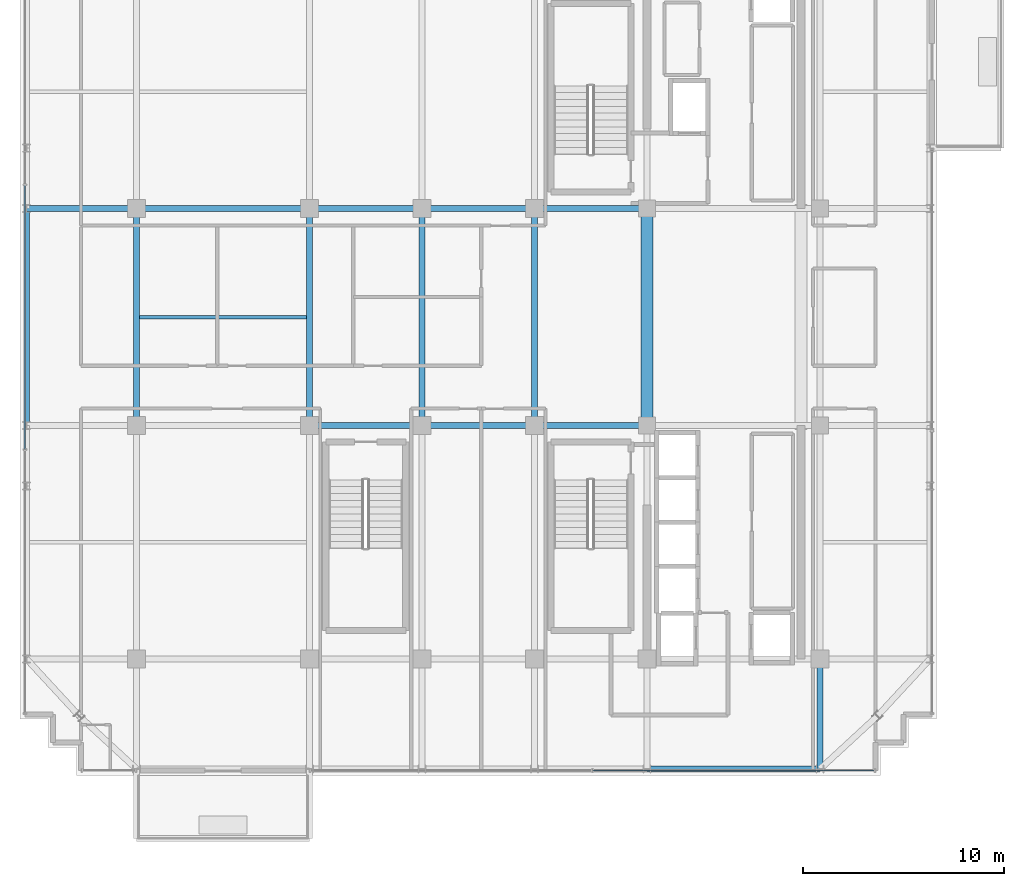
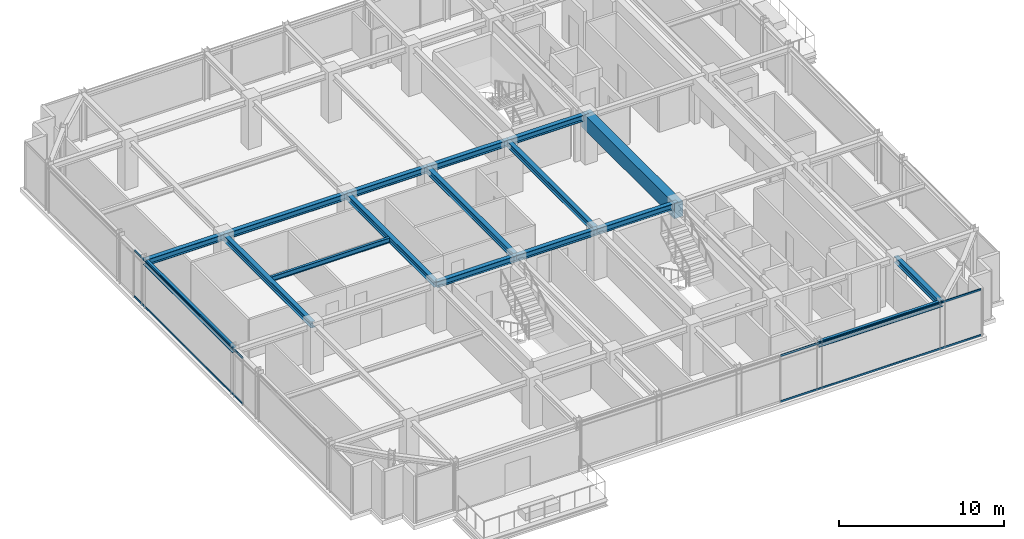
# One storey, part 10 of 32: 17 beams, 4 members, 2 elements without a shape of their own.
"""IFC4 building model written with IfcOpenShell, lengths in metres."""

from ifc_helpers import new_model, si_unit, direction, frame, origin, origin_2d, place, context, subcontext, project, spatial, rectangle, hollow_rectangle, i_section, extrude, source, transform, mapped, material, material_profile, profile_set, type_object, element, aggregate, save


model = new_model("IFC4")

# Units and contexts
model_context = context("Model", 3, precision=1e-05, world=origin(), true_north=direction((0.0, 1.0)))
body_context = subcontext(model_context, "Body", "Model", "MODEL_VIEW")
ifc_project = project(units=[si_unit("LENGTHUNIT", "METRE"), si_unit("AREAUNIT", "SQUARE_METRE"), si_unit("VOLUMEUNIT", "CUBIC_METRE"), si_unit("PLANEANGLEUNIT", "RADIAN"), si_unit("MASSUNIT", "GRAM", prefix="KILO")], contexts=[model_context])

# Site, building, storey
site_placement = place(None, origin())
site = spatial("IfcSite", under=ifc_project, at=site_placement, CompositionType="ELEMENT")
building_placement = place(site_placement, origin())
building = spatial("IfcBuilding", under=site, at=building_placement, Name="Nahalor Promenade Grand Hotel", CompositionType="ELEMENT")
storey_placement = place(building_placement, frame((0.0, 0.0, 330.949951171875)))
storey = spatial("IfcBuildingStorey", under=building, at=storey_placement, Name="L85", CompositionType="ELEMENT", Elevation=330.949951171875)

# Beams
ifc_material_1 = material(Name="Concrete B-60 (C50/60)", Category="concrete")
ifc_material_profile_1 = material_profile(ifc_material_1, rectangle(XDim=0.6, YDim=1.1, at=origin_2d()), Name="RC 600x1100")
ifc_profile_set_1 = profile_set([ifc_material_profile_1], Name="Concrete B-60 (C50/60)")
beam_type_1 = type_object("IfcBeamType", Name="Beam-Lintel-RC1100", PredefinedType="LINTEL", material=ifc_profile_set_1)
shared_shape_1 = source(origin(), body_context, "Body", "SweptSolid", [
    extrude(rectangle(XDim=0.6, YDim=1.1, at=origin_2d()), origin(), (0.0, 0.0, 1.0), 11.2001953125),
])
beam_1_placement = place(storey_placement, frame((8.39990234375, -5.60009765625, 2.949951171875), z_axis=(0.0, 1.0, 0.0), x_axis=(-1.0, 0.0, 0.0)))
element("IfcBeam", 1, at=beam_1_placement, inside=storey, type_object=beam_type_1, Name="BM-L85-LINT-W", PredefinedType="LINTEL", context=body_context, shape_type="MappedRepresentation", body=[
    mapped(shared_shape_1, transform((0.0, 0.0, 0.0), scale=1.0)),
])
ifc_material_2 = material(Name="Steel S355JR", Category="steel")
ifc_material_profile_2 = material_profile(ifc_material_2, i_section(OverallWidth=0.3, OverallDepth=0.45, WebThickness=0.014, FlangeThickness=0.026, at=origin_2d()), Name="HEB 450")
ifc_profile_set_2 = profile_set([ifc_material_profile_2], Name="Steel S355JR")
beam_type_2 = type_object("IfcBeamType", Name="Beam-Girder-HEB450", PredefinedType="BEAM", material=ifc_profile_set_2)
shared_shape_2 = source(origin(), body_context, "Body", "SweptSolid", [
    extrude(i_section(OverallWidth=0.3, OverallDepth=0.45, WebThickness=0.014, FlangeThickness=0.026, at=origin_2d()), origin(), (0.0, 0.0, 1.0), 8.60009765625),
])
beam_2_placement = place(storey_placement, frame((-17.0, 5.39990234375, 3.275146484375), z_axis=(1.0, 0.0, 0.0), x_axis=(0.0, 1.0, 0.0)))
element("IfcBeam", 2, at=beam_2_placement, inside=storey, type_object=beam_type_2, Name="BM-L85-GX-2-1", PredefinedType="BEAM", context=body_context, shape_type="MappedRepresentation", body=[
    mapped(shared_shape_2, transform((0.0, 0.0, 0.0), scale=1.0)),
])
shared_shape_3 = source(origin(), body_context, "Body", "SweptSolid", [
    extrude(i_section(OverallWidth=0.3, OverallDepth=0.45, WebThickness=0.014, FlangeThickness=0.026, at=origin_2d()), origin(), (0.0, 0.0, 1.0), 5.599853515625),
])
for number, where, z_axis, x_axis, name in (
    (3, (-8.39990234375, -5.39990234375, 3.275146484375), (1.0, 0.0, 0.0), (0.0, 1.0, 0.0), "BM-L85-GX-1-2"),
    (4, (2.800048828125, -5.39990234375, 3.275146484375), (1.0, 0.0, 0.0), (0.0, 1.0, 0.0), "BM-L85-GX-1-4"),
    (5, (-8.39990234375, 5.39990234375, 3.275146484375), (1.0, 0.0, 0.0), (0.0, 1.0, 0.0), "BM-L85-GX-2-2"),
    (6, (2.800048828125, 5.39990234375, 3.275146484375), (1.0, 0.0, 0.0), (0.0, 1.0, 0.0), "BM-L85-GX-2-4"),
):
    element("IfcBeam", number, at=place(storey_placement, frame(where, z_axis=z_axis, x_axis=x_axis)), inside=storey, type_object=beam_type_2, Name=name, PredefinedType="BEAM", context=body_context, shape_type="MappedRepresentation", body=[
        mapped(shared_shape_3, transform((0.0, 0.0, 0.0), scale=1.0)),
    ])
shared_shape_4 = source(origin(), body_context, "Body", "SweptSolid", [
    extrude(i_section(OverallWidth=0.3, OverallDepth=0.45, WebThickness=0.014, FlangeThickness=0.026, at=origin_2d()), origin(), (0.0, 0.0, 1.0), 5.60009765625),
])
for number, where, z_axis, x_axis, name in (
    (7, (-2.800048828125, -5.39990234375, 3.275146484375), (1.0, 0.0, 0.0), (0.0, 1.0, 0.0), "BM-L85-GX-1-3"),
    (8, (-2.800048828125, 5.39990234375, 3.275146484375), (1.0, 0.0, 0.0), (0.0, 1.0, 0.0), "BM-L85-GX-2-3"),
):
    element("IfcBeam", number, at=place(storey_placement, frame(where, z_axis=z_axis, x_axis=x_axis)), inside=storey, type_object=beam_type_2, Name=name, PredefinedType="BEAM", context=body_context, shape_type="MappedRepresentation", body=[
        mapped(shared_shape_4, transform((0.0, 0.0, 0.0), scale=1.0)),
    ])
shared_shape_5 = source(origin(), body_context, "Body", "SweptSolid", [
    extrude(i_section(OverallWidth=0.3, OverallDepth=0.45, WebThickness=0.014, FlangeThickness=0.026, at=origin_2d()), origin(), (0.0, 0.0, 1.0), 10.7998046875),
])
for number, where, z_axis, x_axis, name in (
    (9, (-17.0, -5.39990234375, 3.275146484375), (0.0, 1.0, 0.0), (-1.0, 0.0, 0.0), "BM-L85-GY-0-2"),
    (10, (-8.39990234375, -5.39990234375, 3.275146484375), (0.0, 1.0, 0.0), (-1.0, 0.0, 0.0), "BM-L85-GY-1-2"),
    (11, (-2.800048828125, -5.39990234375, 3.275146484375), (0.0, 1.0, 0.0), (-1.0, 0.0, 0.0), "BM-L85-GY-2-2"),
    (12, (2.800048828125, -5.39990234375, 3.275146484375), (0.0, 1.0, 0.0), (-1.0, 0.0, 0.0), "BM-L85-GY-3-2"),
):
    element("IfcBeam", number, at=place(storey_placement, frame(where, z_axis=z_axis, x_axis=x_axis)), inside=storey, type_object=beam_type_2, Name=name, PredefinedType="BEAM", context=body_context, shape_type="MappedRepresentation", body=[
        mapped(shared_shape_5, transform((0.0, 0.0, 0.0), scale=1.0)),
    ])
shared_shape_6 = source(origin(), body_context, "Body", "SweptSolid", [
    extrude(i_section(OverallWidth=0.3, OverallDepth=0.45, WebThickness=0.014, FlangeThickness=0.026, at=origin_2d()), origin(), (0.0, 0.0, 1.0), 5.47998046875),
])
for number, where, z_axis, x_axis, name in (
    (13, (-22.47998046875, 5.39990234375, 3.275146484375), (1.0, 0.0, 0.0), (0.0, 1.0, 0.0), "BM-L85-GX-2-0"),
    (14, (17.0, -22.47998046875, 3.275146484375), (0.0, 1.0, 0.0), (-1.0, 0.0, 0.0), "BM-L85-GY-5-0"),
):
    element("IfcBeam", number, at=place(storey_placement, frame(where, z_axis=z_axis, x_axis=x_axis)), inside=storey, type_object=beam_type_2, Name=name, PredefinedType="BEAM", context=body_context, shape_type="MappedRepresentation", body=[
        mapped(shared_shape_6, transform((0.0, 0.0, 0.0), scale=1.0)),
    ])
ifc_material_profile_3 = material_profile(ifc_material_2, i_section(OverallWidth=0.3, OverallDepth=0.36, WebThickness=0.0125, FlangeThickness=0.0225, at=origin_2d()), Name="HEB 360")
ifc_profile_set_3 = profile_set([ifc_material_profile_3], Name="Steel S355JR")
beam_type_3 = type_object("IfcBeamType", Name="Beam-Spandrel-HEB360", PredefinedType="SPANDREL", material=ifc_profile_set_3)
shared_shape_7 = source(origin(), body_context, "Body", "SweptSolid", [
    extrude(i_section(OverallWidth=0.3, OverallDepth=0.36, WebThickness=0.0125, FlangeThickness=0.0225, at=origin_2d()), origin(), (0.0, 0.0, 1.0), 8.60009765625),
])
beam_3_placement = place(storey_placement, frame((8.39990234375, -22.47998046875, 3.320068359375), z_axis=(1.0, 0.0, 0.0), x_axis=(0.0, 1.0, 0.0)))
element("IfcBeam", 15, at=beam_3_placement, inside=storey, type_object=beam_type_3, Name="BM-L85-SP-S-4", PredefinedType="SPANDREL", context=body_context, shape_type="MappedRepresentation", body=[
    mapped(shared_shape_7, transform((0.0, 0.0, 0.0), scale=1.0)),
])
shared_shape_8 = source(origin(), body_context, "Body", "SweptSolid", [
    extrude(i_section(OverallWidth=0.3, OverallDepth=0.36, WebThickness=0.0125, FlangeThickness=0.0225, at=origin_2d()), origin(), (0.0, 0.0, 1.0), 10.7998046875),
])
beam_4_placement = place(storey_placement, frame((-22.47998046875, -5.39990234375, 3.320068359375), z_axis=(0.0, 1.0, 0.0), x_axis=(-1.0, 0.0, 0.0)))
element("IfcBeam", 16, at=beam_4_placement, inside=storey, type_object=beam_type_3, Name="BM-L85-SP-W-2", PredefinedType="SPANDREL", context=body_context, shape_type="MappedRepresentation", body=[
    mapped(shared_shape_8, transform((0.0, 0.0, 0.0), scale=1.0)),
])
ifc_material_profile_4 = material_profile(ifc_material_2, i_section(OverallWidth=0.17, OverallDepth=0.36, WebThickness=0.008, FlangeThickness=0.0127, at=origin_2d()), Name="IPE 360")
ifc_profile_set_4 = profile_set([ifc_material_profile_4], Name="Steel S355JR")
beam_type_4 = type_object("IfcBeamType", Name="Beam-Joist-IPE360", PredefinedType="JOIST", material=ifc_profile_set_4)
shared_shape_9 = source(origin(), body_context, "Body", "SweptSolid", [
    extrude(i_section(OverallWidth=0.17, OverallDepth=0.36, WebThickness=0.008, FlangeThickness=0.0127, at=origin_2d()), origin(), (0.0, 0.0, 1.0), 8.300048828125),
])
beam_5_placement = place(storey_placement, frame((-16.85009765625, 0.0, 3.320068359375), z_axis=(1.0, 0.0, 0.0), x_axis=(0.0, 1.0, 0.0)))
element("IfcBeam", 17, at=beam_5_placement, inside=storey, type_object=beam_type_4, Name="BM-L85-JSC-0", PredefinedType="JOIST", context=body_context, shape_type="MappedRepresentation", body=[
    mapped(shared_shape_9, transform((0.0, 0.0, 0.0), scale=1.0)),
])

# Curtain wall, members
ifc_material_3 = material(Name="Anodised Bronze Aluminium EN AW-6063 T6", Category="aluminium")
curtain_wall_type = type_object("IfcCurtainWallType", Name="CW2 Typical Hotel Flush Bronze Unitised Curtain Wall", PredefinedType="USERDEFINED", material=ifc_material_3)
curtain_wall_1_placement = place(storey_placement, origin())
curtain_wall_1 = element("IfcCurtainWall", 18, at=curtain_wall_1_placement, inside=storey, type_object=curtain_wall_type, Name="L85 Curtain Wall CW-L85-S-3", ObjectType="UNITISED_CURTAIN_WALL", PredefinedType="USERDEFINED")
ifc_material_profile_5 = material_profile(ifc_material_3, hollow_rectangle(XDim=0.065, YDim=0.13, WallThickness=0.004, at=origin_2d()), Name="CWT 65x130x4")
ifc_profile_set_5 = profile_set([ifc_material_profile_5], Name="Anodised Bronze Aluminium EN AW-6063 T6")
member_type = type_object("IfcMemberType", Name="CWT2 Typical Bronze Transom 65x130", PredefinedType="USERDEFINED", material=ifc_profile_set_5)
shared_shape_10 = source(origin(), body_context, "Body", "SweptSolid", [
    extrude(hollow_rectangle(XDim=0.065, YDim=0.13, WallThickness=0.004, at=origin_2d()), origin(), (0.0, 0.0, 1.0), 13.982666015625),
])
member_1_placement = place(storey_placement, frame((5.71240234375, -22.56005859375, 0.06494140625), z_axis=(1.0, 0.0, 0.0), x_axis=(0.0, 1.0, 0.0)))
member_1 = element("IfcMember", 19, at=member_1_placement, type_object=member_type, Name="CW-L85-S-3 Transom 1-0", ObjectType="TRANSOM", PredefinedType="USERDEFINED", context=body_context, shape_type="MappedRepresentation", body=[
    mapped(shared_shape_10, transform((0.0, 0.0, 0.0), scale=1.0)),
])
member_2_placement = place(storey_placement, frame((5.71240234375, -22.56005859375, 3.43505859375), z_axis=(1.0, 0.0, 0.0), x_axis=(0.0, 1.0, 0.0)))
member_2 = element("IfcMember", 20, at=member_2_placement, type_object=member_type, Name="CW-L85-S-3 Transom 1-1", ObjectType="TRANSOM", PredefinedType="USERDEFINED", context=body_context, shape_type="MappedRepresentation", body=[
    mapped(shared_shape_10, transform((0.0, 0.0, 0.0), scale=1.0)),
])
aggregate(curtain_wall_1, [member_1, member_2])

curtain_wall_2_placement = place(storey_placement, origin())
curtain_wall_2 = element("IfcCurtainWall", 21, at=curtain_wall_2_placement, inside=storey, type_object=curtain_wall_type, Name="L85 Curtain Wall CW-L85-W-1", ObjectType="UNITISED_CURTAIN_WALL", PredefinedType="USERDEFINED")
shared_shape_11 = source(origin(), body_context, "Body", "SweptSolid", [
    extrude(hollow_rectangle(XDim=0.065, YDim=0.13, WallThickness=0.004, at=origin_2d()), origin(), (0.0, 0.0, 1.0), 13.1083984375),
])
member_3_placement = place(storey_placement, frame((-22.56005859375, -6.55419921875, 0.06494140625), z_axis=(0.0, 1.0, 0.0), x_axis=(-1.0, 0.0, 0.0)))
member_3 = element("IfcMember", 22, at=member_3_placement, type_object=member_type, Name="CW-L85-W-1 Transom 1-0", ObjectType="TRANSOM", PredefinedType="USERDEFINED", context=body_context, shape_type="MappedRepresentation", body=[
    mapped(shared_shape_11, transform((0.0, 0.0, 0.0), scale=1.0)),
])
member_4_placement = place(storey_placement, frame((-22.56005859375, -6.55419921875, 3.43505859375), z_axis=(0.0, 1.0, 0.0), x_axis=(-1.0, 0.0, 0.0)))
member_4 = element("IfcMember", 23, at=member_4_placement, type_object=member_type, Name="CW-L85-W-1 Transom 1-1", ObjectType="TRANSOM", PredefinedType="USERDEFINED", context=body_context, shape_type="MappedRepresentation", body=[
    mapped(shared_shape_11, transform((0.0, 0.0, 0.0), scale=1.0)),
])
aggregate(curtain_wall_2, [member_3, member_4])

save(model, "model.ifc")
